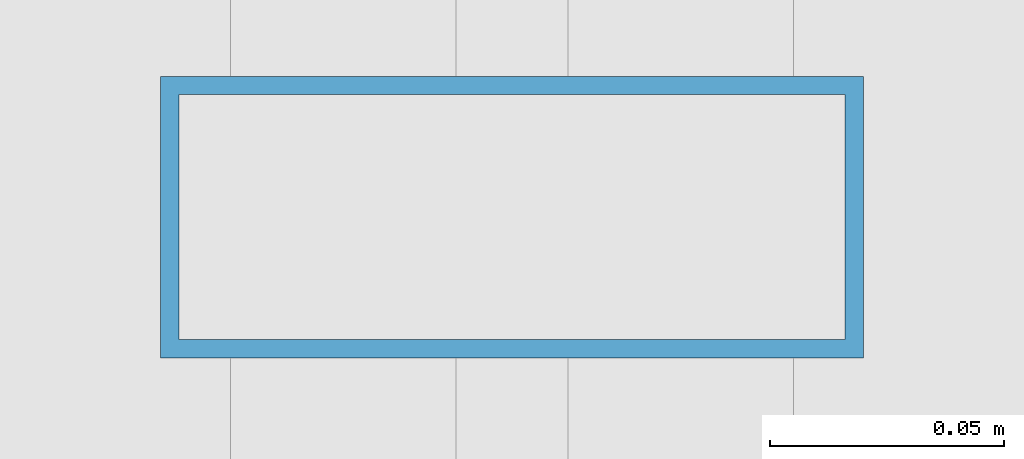
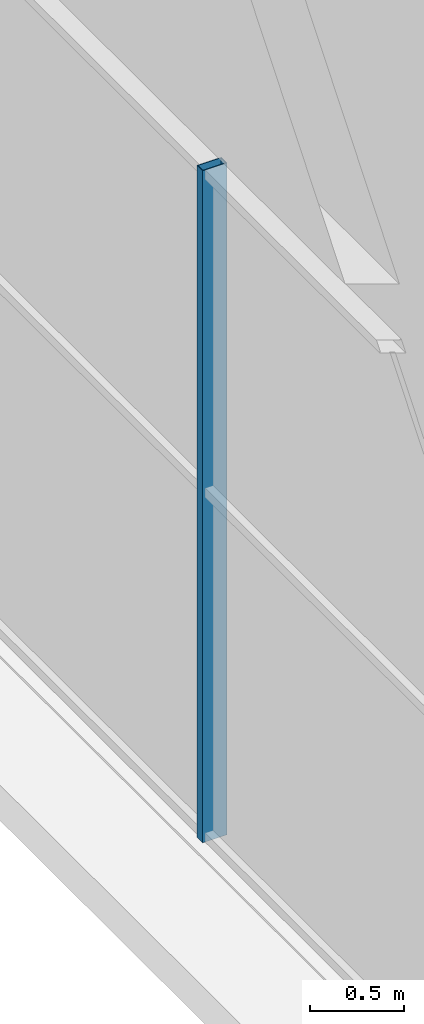
# One storey, part 11 of 22: 1 member, 1 element without a shape of its own.
"""IFC4 building model written with IfcOpenShell, lengths in metres."""

from ifc_helpers import new_model, si_unit, direction, frame, origin, origin_2d, place, context, subcontext, project, spatial, hollow_rectangle, extrude, source, transform, mapped, material, layer, layer_set, material_profile, profile_set, type_object, element, aggregate, save


model = new_model("IFC4")

# Units and contexts
model_context = context("Model", 3, precision=1e-05, world=origin(), true_north=direction((0.0, 1.0)))
body_context = subcontext(model_context, "Body", "Model", "MODEL_VIEW")
ifc_project = project(units=[si_unit("LENGTHUNIT", "METRE"), si_unit("AREAUNIT", "SQUARE_METRE"), si_unit("VOLUMEUNIT", "CUBIC_METRE"), si_unit("PLANEANGLEUNIT", "RADIAN"), si_unit("MASSUNIT", "GRAM", prefix="KILO")], contexts=[model_context])

# Site, building, storey
site_placement = place(None, origin())
site = spatial("IfcSite", under=ifc_project, at=site_placement, CompositionType="ELEMENT")
building_placement = place(site_placement, origin())
building = spatial("IfcBuilding", under=site, at=building_placement, Name="Zarnakvel Exchange Tower", CompositionType="ELEMENT")
storey_placement = place(building_placement, frame((0.0, 0.0, 299.199951171875)))
storey = spatial("IfcBuildingStorey", under=building, at=storey_placement, Name="Crown L83", CompositionType="ELEMENT", Elevation=299.199951171875)

# Curtain wall, member
ifc_material = material(Name="Architectural Bronze Anodised Aluminium", Category="aluminium")
ifc_layer = layer(ifc_material, 0.14990234375)
ifc_layer_set = layer_set([ifc_layer], Name="Architectural Bronze Anodised Aluminium")
curtain_wall_type = type_object("IfcCurtainWallType", Name="CW-07", PredefinedType="NOTDEFINED", material=ifc_layer_set)
curtain_wall_placement = place(storey_placement, origin())
curtain_wall = element("IfcCurtainWall", 1, at=curtain_wall_placement, inside=storey, type_object=curtain_wall_type, Name="Crown L83 Curtain Wall CW-Crown L83-W (CW-07)", PredefinedType="NOTDEFINED")
ifc_material_profile = material_profile(ifc_material, hollow_rectangle(XDim=0.14990234375, YDim=0.06005859375, WallThickness=0.00390625, at=origin_2d()))
ifc_profile_set = profile_set([ifc_material_profile], Name="Architectural Bronze Anodised Aluminium")
member_type = type_object("IfcMemberType", Name="CWM-07", PredefinedType="MULLION", material=ifc_profile_set)
shared_shape = source(origin(), body_context, "Body", "SweptSolid", [
    extrude(hollow_rectangle(XDim=0.14990234375, YDim=0.06005859375, WallThickness=0.00390625, at=origin_2d()), origin(), (0.0, 0.0, 1.0), 4.360107421875),
])
member_placement = place(storey_placement, frame((-16.9599609375, 6.14990234375, 0.0), z_axis=(0.0, 0.0, 1.0), x_axis=(-1.0, 0.0, 0.0)))
member = element("IfcMember", 2, at=member_placement, type_object=member_type, Name="CW-07 mullion 4", PredefinedType="MULLION", context=body_context, shape_type="MappedRepresentation", body=[
    mapped(shared_shape, transform((0.0, 0.0, 0.0), x_axis=(1.0, 0.0, 0.0), y_axis=(0.0, 1.0, 0.0), z_axis=(0.0, 0.0, 1.0), scale=1.0)),
])
aggregate(curtain_wall, [member])

save(model, "model.ifc")
